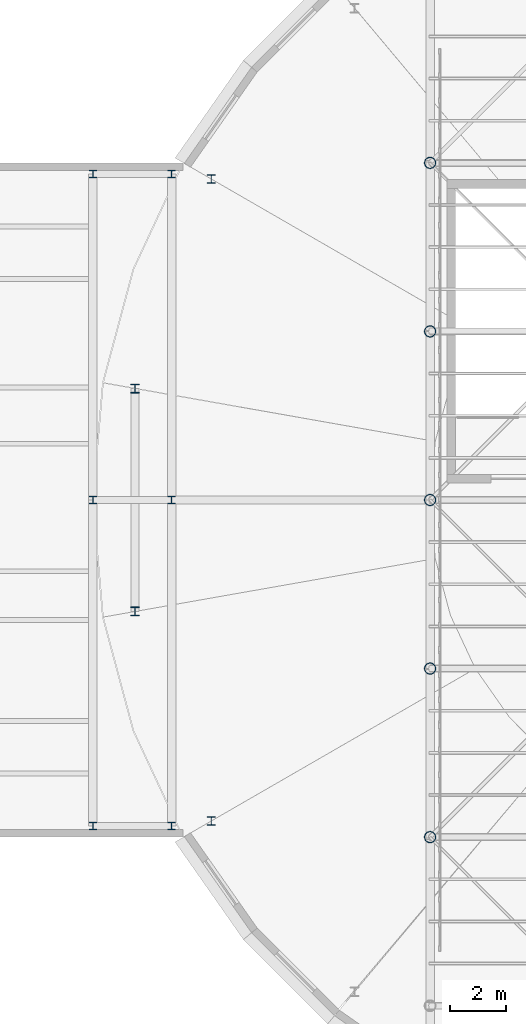
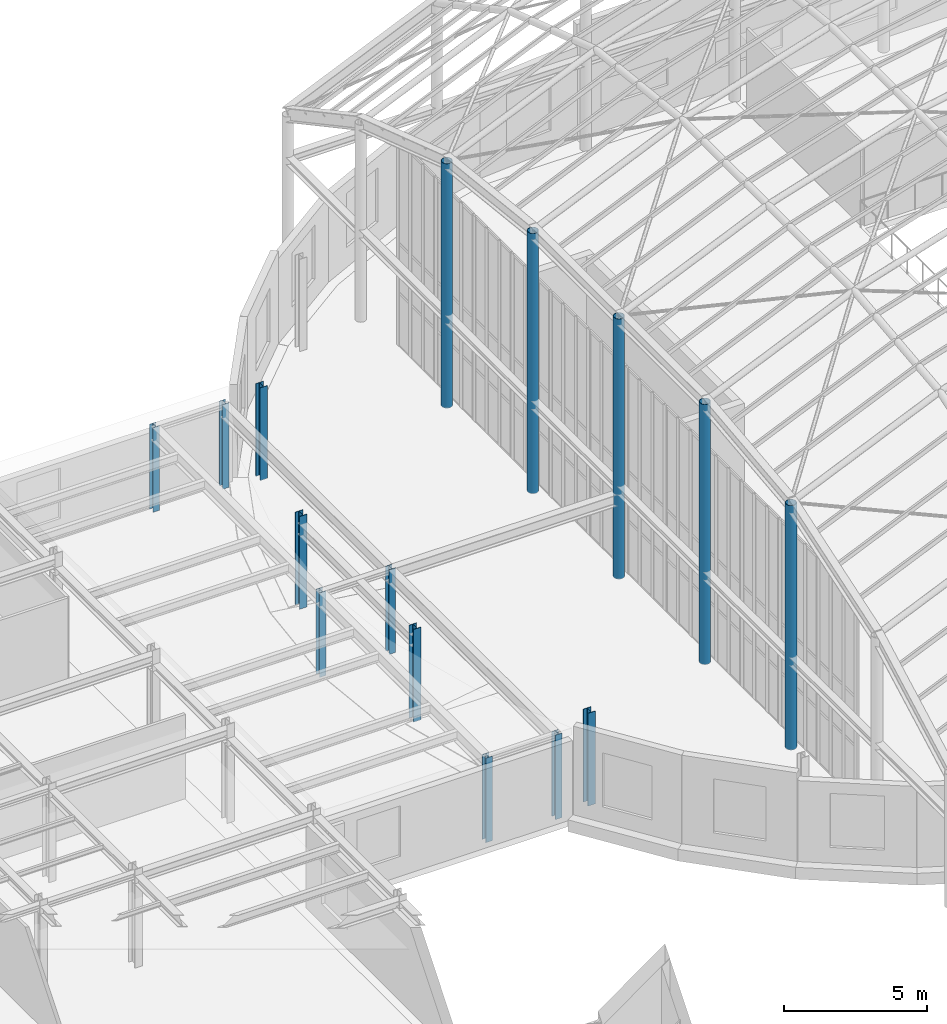
# One storey, part 4 of 75: 15 columns.
"""IFC4 building model written with IfcOpenShell, lengths in metres."""

from ifc_helpers import new_model, si_unit, direction, frame, origin, origin_2d, place, context, subcontext, project, spatial, hollow_circle, i_section, extrude, material, material_profile, profile_set, type_object, element, save


model = new_model("IFC4")

# Units and contexts
model_context = context("Model", 3, precision=1e-05, world=origin(), true_north=direction((0.0, 1.0)))
body_context = subcontext(model_context, "Body", "Model", "MODEL_VIEW")
ifc_project = project(units=[si_unit("LENGTHUNIT", "METRE"), si_unit("AREAUNIT", "SQUARE_METRE"), si_unit("VOLUMEUNIT", "CUBIC_METRE"), si_unit("PLANEANGLEUNIT", "RADIAN"), si_unit("MASSUNIT", "GRAM", prefix="KILO")], contexts=[model_context])

# Site, building, storey
site_placement = place(None, origin())
site = spatial("IfcSite", under=ifc_project, at=site_placement, CompositionType="ELEMENT")
building_placement = place(site_placement, origin())
building = spatial("IfcBuilding", under=site, at=building_placement, Name="Kolvaren Corner Interchange", CompositionType="ELEMENT")
storey_placement = place(building_placement, frame((0.0, 0.0, 10.5)))
storey = spatial("IfcBuildingStorey", under=building, at=storey_placement, Name="L03", CompositionType="ELEMENT", Elevation=10.5)

# Columns
ifc_material_1 = material(Name="Steel S355", Category="steel")
ifc_material_profile_1 = material_profile(ifc_material_1, hollow_circle(Radius=0.203125, WallThickness=0.01611328125, at=origin_2d()), Name="CHS 406.4x16.0")
ifc_profile_set_1 = profile_set([ifc_material_profile_1], Name="Steel S355")
column_type_1 = type_object("IfcColumnType", Name="COL-CHS406", PredefinedType="COLUMN", material=ifc_profile_set_1)
column_1_placement = place(storey_placement, frame((48.0, 36.0, 0.0), z_axis=(0.0, 0.0, 1.0), x_axis=(1.0, 0.0, 0.0)))
element("IfcColumn", 1, at=column_1_placement, inside=storey, type_object=column_type_1, Name="Storey L03 Structural Column 0688", PredefinedType="COLUMN", context=body_context, shape_type="SweptSolid", body=[
    extrude(hollow_circle(Radius=0.203125, WallThickness=0.01611328125, at=origin_2d()), origin(), (0.0, 0.0, 1.0), 10.4130859375),
])
for number, where, z_axis, x_axis, name in (
    (2, (48.0, 42.0, 0.0), (0.0, 0.0, 1.0), (1.0, 0.0, 0.0), "Storey L03 Structural Column 0692"),
    (3, (48.0, 48.0, 0.0), (0.0, 0.0, 1.0), (1.0, 0.0, 0.0), "Storey L03 Structural Column 0696"),
    (4, (48.0, 54.0, 0.0), (0.0, 0.0, 1.0), (1.0, 0.0, 0.0), "Storey L03 Structural Column 0700"),
):
    element("IfcColumn", number, at=place(storey_placement, frame(where, z_axis=z_axis, x_axis=x_axis)), inside=storey, type_object=column_type_1, Name=name, PredefinedType="COLUMN", context=body_context, shape_type="SweptSolid", body=[
        extrude(hollow_circle(Radius=0.203125, WallThickness=0.01611328125, at=origin_2d()), origin(), (0.0, 0.0, 1.0), 11.080078125),
    ])
column_2_placement = place(storey_placement, frame((48.0, 60.0, 0.0), z_axis=(0.0, 0.0, 1.0), x_axis=(1.0, 0.0, 0.0)))
element("IfcColumn", 5, at=column_2_placement, inside=storey, type_object=column_type_1, Name="Storey L03 Structural Column 0704", PredefinedType="COLUMN", context=body_context, shape_type="SweptSolid", body=[
    extrude(hollow_circle(Radius=0.203125, WallThickness=0.01611328125, at=origin_2d()), origin(), (0.0, 0.0, 1.0), 10.4130859375),
])
ifc_material_2 = material(Name="Steel S355", Category="steel")
ifc_material_profile_2 = material_profile(ifc_material_2, i_section(OverallWidth=0.260009765625, OverallDepth=0.260009765625, WebThickness=0.010009765625, FlangeThickness=0.017578125, FilletRadius=0.02392578125, at=origin_2d()), Name="HEB 260")
ifc_profile_set_2 = profile_set([ifc_material_profile_2], Name="Steel S355")
column_type_2 = type_object("IfcColumnType", Name="COL-HEB260", PredefinedType="COLUMN", material=ifc_profile_set_2)
for number, where, z_axis, x_axis, name in (
    (6, (36.0, 36.39990234375, 0.0), (0.0, 0.0, 1.0), (1.0, 0.0, 0.0), "Storey L03 Structural Column 0448"),
    (7, (36.0, 48.0, 0.0), (0.0, 0.0, 1.0), (1.0, 0.0, 0.0), "Storey L03 Structural Column 0452"),
    (8, (36.0, 59.60009765625, 0.0), (0.0, 0.0, 1.0), (1.0, 0.0, 0.0), "Storey L03 Structural Column 0456"),
    (9, (38.800048828125, 36.39990234375, 0.0), (0.0, 0.0, 1.0), (1.0, 0.0, 0.0), "Storey L03 Structural Column 0460"),
    (10, (38.800048828125, 48.0, 0.0), (0.0, 0.0, 1.0), (1.0, 0.0, 0.0), "Storey L03 Structural Column 0464"),
    (11, (38.800048828125, 59.60009765625, 0.0), (0.0, 0.0, 1.0), (1.0, 0.0, 0.0), "Storey L03 Structural Column 0468"),
):
    element("IfcColumn", number, at=place(storey_placement, frame(where, z_axis=z_axis, x_axis=x_axis)), inside=storey, type_object=column_type_2, Name=name, PredefinedType="COLUMN", context=body_context, shape_type="SweptSolid", body=[
        extrude(i_section(OverallWidth=0.260009765625, OverallDepth=0.260009765625, WebThickness=0.010009765625, FlangeThickness=0.017578125, FilletRadius=0.02392578125, at=origin_2d()), origin(), (0.0, 0.0, 1.0), 3.60009765625),
    ])
ifc_material_3 = material(Name="Steel S355", Category="steel")
ifc_material_profile_3 = material_profile(ifc_material_3, i_section(OverallWidth=0.300048828125, OverallDepth=0.320068359375, WebThickness=0.011474609375, FlangeThickness=0.0205078125, FilletRadius=0.027099609375, at=origin_2d()), Name="HEB 320")
ifc_profile_set_3 = profile_set([ifc_material_profile_3], Name="Steel S355")
column_type_3 = type_object("IfcColumnType", Name="COL-HEB320", PredefinedType="COLUMN", material=ifc_profile_set_3)
for number, where, z_axis, x_axis, name in (
    (12, (40.2109375, 59.425048828125, 0.0), (0.0, 0.0, 1.0), (1.0, 0.0, 0.0), "Storey L03 Structural Column 0794"),
    (13, (37.4970703125, 51.968017578125, 0.0), (0.0, 0.0, 1.0), (1.0, 0.0, 0.0), "Storey L03 Structural Column 0798"),
    (14, (37.4970703125, 44.031982421875, 0.0), (0.0, 0.0, 1.0), (1.0, 0.0, 0.0), "Storey L03 Structural Column 0802"),
    (15, (40.2109375, 36.574951171875, 0.0), (0.0, 0.0, 1.0), (1.0, 0.0, 0.0), "Storey L03 Structural Column 0806"),
):
    element("IfcColumn", number, at=place(storey_placement, frame(where, z_axis=z_axis, x_axis=x_axis)), inside=storey, type_object=column_type_3, Name=name, PredefinedType="COLUMN", context=body_context, shape_type="SweptSolid", body=[
        extrude(i_section(OverallWidth=0.300048828125, OverallDepth=0.320068359375, WebThickness=0.011474609375, FlangeThickness=0.0205078125, FilletRadius=0.027099609375, at=origin_2d()), origin(), (0.0, 0.0, 1.0), 3.949951171875),
    ])

save(model, "model.ifc")
